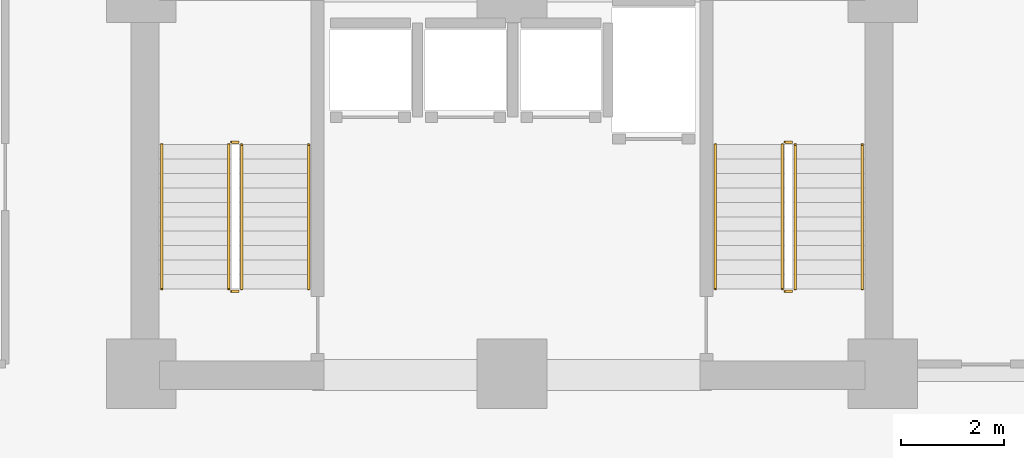
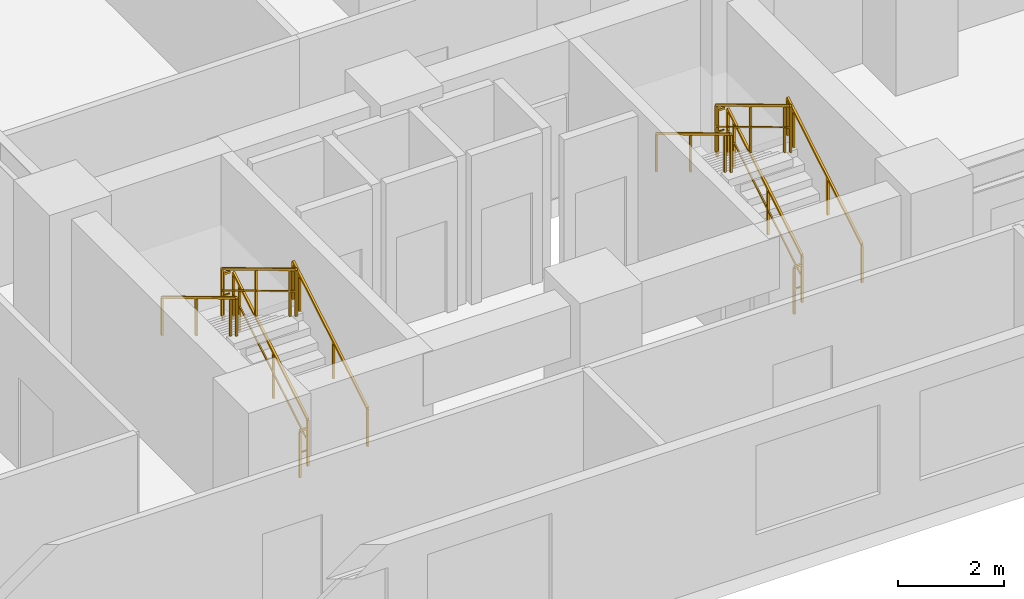
# One storey, part 10 of 11: 12 railings.
"""IFC4 building model written with IfcOpenShell, lengths in metres."""

from ifc_helpers import new_model, si_unit, direction, frame, origin, origin_2d, place, context, subcontext, project, spatial, rectangle, extrude, material, type_object, element, save


model = new_model("IFC4")

# Units and contexts
model_context = context("Model", 3, precision=1e-05, world=origin(), true_north=direction((0.0, 1.0)))
body_context = subcontext(model_context, "Body", "Model", "MODEL_VIEW")
ifc_project = project(units=[si_unit("LENGTHUNIT", "METRE"), si_unit("AREAUNIT", "SQUARE_METRE"), si_unit("VOLUMEUNIT", "CUBIC_METRE"), si_unit("PLANEANGLEUNIT", "RADIAN"), si_unit("MASSUNIT", "GRAM", prefix="KILO")], contexts=[model_context])

# Site, building, storey
site_placement = place(None, origin())
site = spatial("IfcSite", under=ifc_project, at=site_placement, CompositionType="ELEMENT")
building_placement = place(site_placement, origin())
building = spatial("IfcBuilding", under=site, at=building_placement, Name="Kaliganga Portal Commons", CompositionType="ELEMENT")
storey_placement = place(building_placement, frame((0.0, 0.0, 25.300048828125)))
storey = spatial("IfcBuildingStorey", under=building, at=storey_placement, Name="L05", CompositionType="ELEMENT", Elevation=25.300048828125)

# Railings
ifc_material_1 = material(Name="Galvanized Painted Steel Balustrade", Category="steel")
railing_type_1 = type_object("IfcRailingType", Name="RLG-STAIR-GRD", PredefinedType="GUARDRAIL", material=ifc_material_1)
railing_1_placement = place(storey_placement, frame((37.949951171875, 8.699951171875, 0.168212890625)))
element("IfcRailing", 1, at=railing_1_placement, inside=storey, type_object=railing_type_1, Name="L05 ST-B1 stair guard 1", PredefinedType="GUARDRAIL", context=body_context, shape_type="SweptSolid", body=[
    extrude(rectangle(XDim=0.048095703125, YDim=0.048095703125, at=origin_2d()), frame((0.0, 0.0, 1.072021484375), z_axis=(0.0, 0.857275202839, 0.514858452973), x_axis=(-1.0, 0.0, 0.0)), (0.0, 0.0, 1.0), 3.26611328125),
    extrude(rectangle(XDim=0.028076171875, YDim=0.028076171875, at=origin_2d()), frame((0.0, 0.0, 0.572021484375), z_axis=(0.0, 0.857275202839, 0.514858452973), x_axis=(-1.0, 0.0, 0.0)), (0.0, 0.0, 1.0), 3.26611328125),
    extrude(rectangle(XDim=0.0419921875, YDim=0.0419921875, at=origin_2d()), origin(), (0.0, 0.0, 1.0), 1.052001953125),
    extrude(rectangle(XDim=0.0419921875, YDim=0.0419921875, at=origin_2d()), frame((0.0, 1.285888671875, 0.772216796875)), (0.0, 0.0, 1.0), 1.052001953125),
    extrude(rectangle(XDim=0.0419921875, YDim=0.0419921875, at=origin_2d()), frame((0.0, 2.57177734375, 1.544677734375)), (0.0, 0.0, 1.0), 1.052001953125),
    extrude(rectangle(XDim=0.0419921875, YDim=0.0419921875, at=origin_2d()), frame((0.0, 2.800048828125, 1.681640625)), (0.0, 0.0, 1.0), 1.052001953125),
])
railing_2_placement = place(storey_placement, frame((37.89990234375, 11.550048828125, 1.849853515625)))
element("IfcRailing", 2, at=railing_2_placement, inside=storey, type_object=railing_type_1, Name="L05 ST-B1 stair guard 2", PredefinedType="GUARDRAIL", context=body_context, shape_type="SweptSolid", body=[
    extrude(rectangle(XDim=0.048095703125, YDim=0.048095703125, at=origin_2d()), frame((0.0, 0.0, 1.076171875), z_axis=(-1.0, 0.0, 0.0), x_axis=(0.0, -1.0, 0.0)), (0.0, 0.0, 1.0), 0.14990234375),
    extrude(rectangle(XDim=0.028076171875, YDim=0.028076171875, at=origin_2d()), frame((0.0, 0.0, 0.572021484375), z_axis=(-1.0, 0.0, 0.0), x_axis=(0.0, -1.0, 0.0)), (0.0, 0.0, 1.0), 0.14990234375),
    extrude(rectangle(XDim=0.0419921875, YDim=0.0419921875, at=origin_2d()), frame((-0.14990234375, 0.0, 0.0)), (0.0, 0.0, 1.0), 1.052001953125),
])
railing_3_placement = place(storey_placement, frame((37.699951171875, 11.5, 2.01806640625)))
element("IfcRailing", 3, at=railing_3_placement, inside=storey, type_object=railing_type_1, Name="L05 ST-B1 stair guard 3", PredefinedType="GUARDRAIL", context=body_context, shape_type="SweptSolid", body=[
    extrude(rectangle(XDim=0.048095703125, YDim=0.048095703125, at=origin_2d()), frame((0.0, 0.0, 1.072021484375), z_axis=(0.0, -0.857242210791, 0.514913383045), x_axis=(1.0, 0.0, 0.0)), (0.0, 0.0, 1.0), 3.266357421875),
    extrude(rectangle(XDim=0.028076171875, YDim=0.028076171875, at=origin_2d()), frame((0.0, 0.0, 0.572021484375), z_axis=(0.0, -0.857242210791, 0.514913383045), x_axis=(1.0, 0.0, 0.0)), (0.0, 0.0, 1.0), 3.266357421875),
    extrude(rectangle(XDim=0.0419921875, YDim=0.0419921875, at=origin_2d()), origin(), (0.0, 0.0, 1.0), 1.052001953125),
    extrude(rectangle(XDim=0.0419921875, YDim=0.0419921875, at=origin_2d()), frame((0.0, -1.285888671875, 0.7724609375)), (0.0, 0.0, 1.0), 1.052001953125),
    extrude(rectangle(XDim=0.0419921875, YDim=0.0419921875, at=origin_2d()), frame((0.0, -2.57177734375, 1.544677734375)), (0.0, 0.0, 1.0), 1.052001953125),
    extrude(rectangle(XDim=0.0419921875, YDim=0.0419921875, at=origin_2d()), frame((0.0, -2.800048828125, 1.681884765625)), (0.0, 0.0, 1.0), 1.052001953125),
])
railing_4_placement = place(storey_placement, frame((37.89990234375, 8.64990234375, 0.0)))
element("IfcRailing", 4, at=railing_4_placement, inside=storey, type_object=railing_type_1, Name="L05 ST-B1 stair guard 4", PredefinedType="GUARDRAIL", context=body_context, shape_type="SweptSolid", body=[
    extrude(rectangle(XDim=0.048095703125, YDim=0.048095703125, at=origin_2d()), frame((0.0, 0.0, 1.076171875), z_axis=(-1.0, 0.0, 0.0), x_axis=(0.0, -1.0, 0.0)), (0.0, 0.0, 1.0), 0.14990234375),
    extrude(rectangle(XDim=0.028076171875, YDim=0.028076171875, at=origin_2d()), frame((0.0, 0.0, 0.572021484375), z_axis=(-1.0, 0.0, 0.0), x_axis=(0.0, -1.0, 0.0)), (0.0, 0.0, 1.0), 0.14990234375),
    extrude(rectangle(XDim=0.0419921875, YDim=0.0419921875, at=origin_2d()), frame((-0.14990234375, 0.0, 0.0)), (0.0, 0.0, 1.0), 1.052001953125),
])
railing_5_placement = place(storey_placement, frame((48.699951171875, 8.699951171875, 0.168212890625)))
element("IfcRailing", 5, at=railing_5_placement, inside=storey, type_object=railing_type_1, Name="L05 ST-B2 stair guard 1", PredefinedType="GUARDRAIL", context=body_context, shape_type="SweptSolid", body=[
    extrude(rectangle(XDim=0.048095703125, YDim=0.048095703125, at=origin_2d()), frame((0.0, 0.0, 1.072021484375), z_axis=(0.0, 0.857275202839, 0.514858452973), x_axis=(-1.0, 0.0, 0.0)), (0.0, 0.0, 1.0), 3.26611328125),
    extrude(rectangle(XDim=0.028076171875, YDim=0.028076171875, at=origin_2d()), frame((0.0, 0.0, 0.572021484375), z_axis=(0.0, 0.857275202839, 0.514858452973), x_axis=(-1.0, 0.0, 0.0)), (0.0, 0.0, 1.0), 3.26611328125),
    extrude(rectangle(XDim=0.0419921875, YDim=0.0419921875, at=origin_2d()), origin(), (0.0, 0.0, 1.0), 1.052001953125),
    extrude(rectangle(XDim=0.0419921875, YDim=0.0419921875, at=origin_2d()), frame((0.0, 1.285888671875, 0.772216796875)), (0.0, 0.0, 1.0), 1.052001953125),
    extrude(rectangle(XDim=0.0419921875, YDim=0.0419921875, at=origin_2d()), frame((0.0, 2.57177734375, 1.544677734375)), (0.0, 0.0, 1.0), 1.052001953125),
    extrude(rectangle(XDim=0.0419921875, YDim=0.0419921875, at=origin_2d()), frame((0.0, 2.800048828125, 1.681640625)), (0.0, 0.0, 1.0), 1.052001953125),
])
railing_6_placement = place(storey_placement, frame((48.64990234375, 11.550048828125, 1.849853515625)))
element("IfcRailing", 6, at=railing_6_placement, inside=storey, type_object=railing_type_1, Name="L05 ST-B2 stair guard 2", PredefinedType="GUARDRAIL", context=body_context, shape_type="SweptSolid", body=[
    extrude(rectangle(XDim=0.048095703125, YDim=0.048095703125, at=origin_2d()), frame((0.0, 0.0, 1.076171875), z_axis=(-1.0, 0.0, 0.0), x_axis=(0.0, -1.0, 0.0)), (0.0, 0.0, 1.0), 0.14990234375),
    extrude(rectangle(XDim=0.028076171875, YDim=0.028076171875, at=origin_2d()), frame((0.0, 0.0, 0.572021484375), z_axis=(-1.0, 0.0, 0.0), x_axis=(0.0, -1.0, 0.0)), (0.0, 0.0, 1.0), 0.14990234375),
    extrude(rectangle(XDim=0.0419921875, YDim=0.0419921875, at=origin_2d()), frame((-0.14990234375, 0.0, 0.0)), (0.0, 0.0, 1.0), 1.052001953125),
])
railing_7_placement = place(storey_placement, frame((48.449951171875, 11.5, 2.01806640625)))
element("IfcRailing", 7, at=railing_7_placement, inside=storey, type_object=railing_type_1, Name="L05 ST-B2 stair guard 3", PredefinedType="GUARDRAIL", context=body_context, shape_type="SweptSolid", body=[
    extrude(rectangle(XDim=0.048095703125, YDim=0.048095703125, at=origin_2d()), frame((0.0, 0.0, 1.072021484375), z_axis=(0.0, -0.857242210791, 0.514913383045), x_axis=(1.0, 0.0, 0.0)), (0.0, 0.0, 1.0), 3.266357421875),
    extrude(rectangle(XDim=0.028076171875, YDim=0.028076171875, at=origin_2d()), frame((0.0, 0.0, 0.572021484375), z_axis=(0.0, -0.857242210791, 0.514913383045), x_axis=(1.0, 0.0, 0.0)), (0.0, 0.0, 1.0), 3.266357421875),
    extrude(rectangle(XDim=0.0419921875, YDim=0.0419921875, at=origin_2d()), origin(), (0.0, 0.0, 1.0), 1.052001953125),
    extrude(rectangle(XDim=0.0419921875, YDim=0.0419921875, at=origin_2d()), frame((0.0, -1.285888671875, 0.7724609375)), (0.0, 0.0, 1.0), 1.052001953125),
    extrude(rectangle(XDim=0.0419921875, YDim=0.0419921875, at=origin_2d()), frame((0.0, -2.57177734375, 1.544677734375)), (0.0, 0.0, 1.0), 1.052001953125),
    extrude(rectangle(XDim=0.0419921875, YDim=0.0419921875, at=origin_2d()), frame((0.0, -2.800048828125, 1.681884765625)), (0.0, 0.0, 1.0), 1.052001953125),
])
railing_8_placement = place(storey_placement, frame((48.64990234375, 8.64990234375, 0.0)))
element("IfcRailing", 8, at=railing_8_placement, inside=storey, type_object=railing_type_1, Name="L05 ST-B2 stair guard 4", PredefinedType="GUARDRAIL", context=body_context, shape_type="SweptSolid", body=[
    extrude(rectangle(XDim=0.048095703125, YDim=0.048095703125, at=origin_2d()), frame((0.0, 0.0, 1.076171875), z_axis=(-1.0, 0.0, 0.0), x_axis=(0.0, -1.0, 0.0)), (0.0, 0.0, 1.0), 0.14990234375),
    extrude(rectangle(XDim=0.028076171875, YDim=0.028076171875, at=origin_2d()), frame((0.0, 0.0, 0.572021484375), z_axis=(-1.0, 0.0, 0.0), x_axis=(0.0, -1.0, 0.0)), (0.0, 0.0, 1.0), 0.14990234375),
    extrude(rectangle(XDim=0.0419921875, YDim=0.0419921875, at=origin_2d()), frame((-0.14990234375, 0.0, 0.0)), (0.0, 0.0, 1.0), 1.052001953125),
])
ifc_material_2 = material(Name="Brushed Stainless Steel 316", Category="steel")
railing_type_2 = type_object("IfcRailingType", Name="RLG-STAIR-HR", PredefinedType="HANDRAIL", material=ifc_material_2)
railing_9_placement = place(storey_placement, frame((39.25, 8.699951171875, 0.168212890625)))
element("IfcRailing", 9, at=railing_9_placement, inside=storey, type_object=railing_type_2, Name="L05 ST-B1 stair handrail 1", PredefinedType="HANDRAIL", context=body_context, shape_type="SweptSolid", body=[
    extrude(rectangle(XDim=0.048095703125, YDim=0.048095703125, at=origin_2d()), frame((0.0, 0.0, 0.871826171875), z_axis=(0.0, 0.857275202839, 0.514858452973), x_axis=(-1.0, 0.0, 0.0)), (0.0, 0.0, 1.0), 3.26611328125),
    extrude(rectangle(XDim=0.0419921875, YDim=0.0419921875, at=origin_2d()), origin(), (0.0, 0.0, 1.0), 0.851806640625),
    extrude(rectangle(XDim=0.0419921875, YDim=0.0419921875, at=origin_2d()), frame((0.0, 1.285888671875, 0.772216796875)), (0.0, 0.0, 1.0), 0.851806640625),
    extrude(rectangle(XDim=0.0419921875, YDim=0.0419921875, at=origin_2d()), frame((0.0, 2.57177734375, 1.544677734375)), (0.0, 0.0, 1.0), 0.851806640625),
    extrude(rectangle(XDim=0.0419921875, YDim=0.0419921875, at=origin_2d()), frame((0.0, 2.800048828125, 1.681640625)), (0.0, 0.0, 1.0), 0.851806640625),
])
railing_10_placement = place(storey_placement, frame((36.39990234375, 11.5, 2.01806640625)))
element("IfcRailing", 10, at=railing_10_placement, inside=storey, type_object=railing_type_2, Name="L05 ST-B1 stair handrail 2", PredefinedType="HANDRAIL", context=body_context, shape_type="SweptSolid", body=[
    extrude(rectangle(XDim=0.048095703125, YDim=0.048095703125, at=origin_2d()), frame((0.0, 0.0, 0.871826171875), z_axis=(0.0, -0.857242210791, 0.514913383045), x_axis=(1.0, 0.0, 0.0)), (0.0, 0.0, 1.0), 3.266357421875),
    extrude(rectangle(XDim=0.0419921875, YDim=0.0419921875, at=origin_2d()), origin(), (0.0, 0.0, 1.0), 0.851806640625),
    extrude(rectangle(XDim=0.0419921875, YDim=0.0419921875, at=origin_2d()), frame((0.0, -1.285888671875, 0.7724609375)), (0.0, 0.0, 1.0), 0.851806640625),
    extrude(rectangle(XDim=0.0419921875, YDim=0.0419921875, at=origin_2d()), frame((0.0, -2.57177734375, 1.544677734375)), (0.0, 0.0, 1.0), 0.851806640625),
    extrude(rectangle(XDim=0.0419921875, YDim=0.0419921875, at=origin_2d()), frame((0.0, -2.800048828125, 1.681884765625)), (0.0, 0.0, 1.0), 0.851806640625),
])
railing_11_placement = place(storey_placement, frame((50.0, 8.699951171875, 0.168212890625)))
element("IfcRailing", 11, at=railing_11_placement, inside=storey, type_object=railing_type_2, Name="L05 ST-B2 stair handrail 1", PredefinedType="HANDRAIL", context=body_context, shape_type="SweptSolid", body=[
    extrude(rectangle(XDim=0.048095703125, YDim=0.048095703125, at=origin_2d()), frame((0.0, 0.0, 0.871826171875), z_axis=(0.0, 0.857275202839, 0.514858452973), x_axis=(-1.0, 0.0, 0.0)), (0.0, 0.0, 1.0), 3.26611328125),
    extrude(rectangle(XDim=0.0419921875, YDim=0.0419921875, at=origin_2d()), origin(), (0.0, 0.0, 1.0), 0.851806640625),
    extrude(rectangle(XDim=0.0419921875, YDim=0.0419921875, at=origin_2d()), frame((0.0, 1.285888671875, 0.772216796875)), (0.0, 0.0, 1.0), 0.851806640625),
    extrude(rectangle(XDim=0.0419921875, YDim=0.0419921875, at=origin_2d()), frame((0.0, 2.57177734375, 1.544677734375)), (0.0, 0.0, 1.0), 0.851806640625),
    extrude(rectangle(XDim=0.0419921875, YDim=0.0419921875, at=origin_2d()), frame((0.0, 2.800048828125, 1.681640625)), (0.0, 0.0, 1.0), 0.851806640625),
])
railing_12_placement = place(storey_placement, frame((47.14990234375, 11.5, 2.01806640625)))
element("IfcRailing", 12, at=railing_12_placement, inside=storey, type_object=railing_type_2, Name="L05 ST-B2 stair handrail 2", PredefinedType="HANDRAIL", context=body_context, shape_type="SweptSolid", body=[
    extrude(rectangle(XDim=0.048095703125, YDim=0.048095703125, at=origin_2d()), frame((0.0, 0.0, 0.871826171875), z_axis=(0.0, -0.857242210791, 0.514913383045), x_axis=(1.0, 0.0, 0.0)), (0.0, 0.0, 1.0), 3.266357421875),
    extrude(rectangle(XDim=0.0419921875, YDim=0.0419921875, at=origin_2d()), origin(), (0.0, 0.0, 1.0), 0.851806640625),
    extrude(rectangle(XDim=0.0419921875, YDim=0.0419921875, at=origin_2d()), frame((0.0, -1.285888671875, 0.7724609375)), (0.0, 0.0, 1.0), 0.851806640625),
    extrude(rectangle(XDim=0.0419921875, YDim=0.0419921875, at=origin_2d()), frame((0.0, -2.57177734375, 1.544677734375)), (0.0, 0.0, 1.0), 0.851806640625),
    extrude(rectangle(XDim=0.0419921875, YDim=0.0419921875, at=origin_2d()), frame((0.0, -2.800048828125, 1.681884765625)), (0.0, 0.0, 1.0), 0.851806640625),
])

save(model, "model.ifc")
